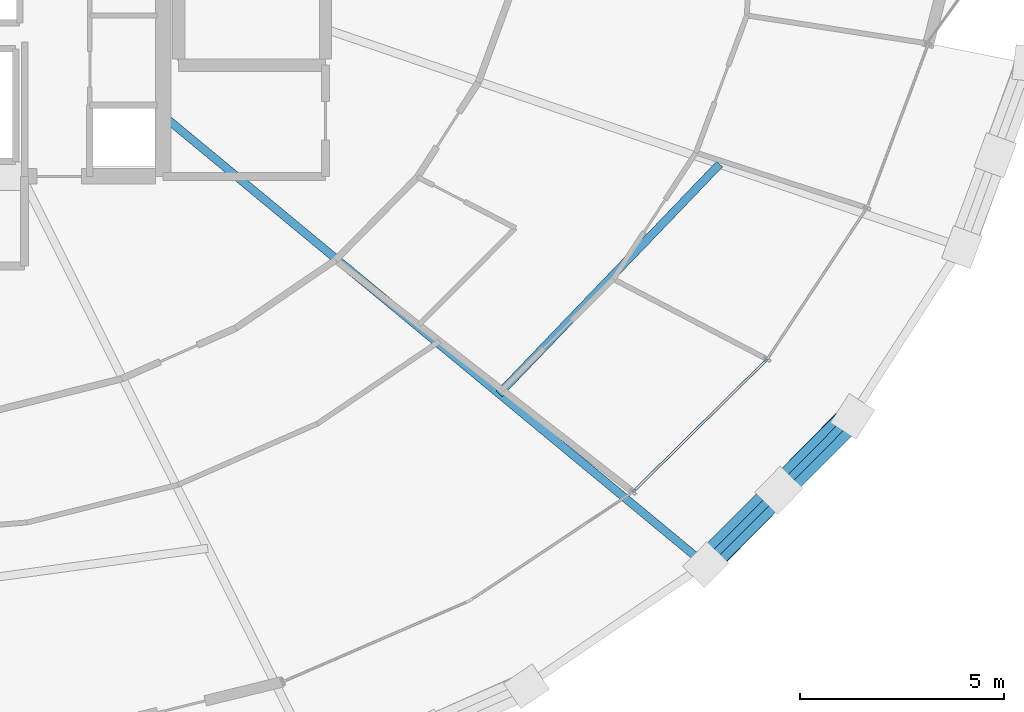
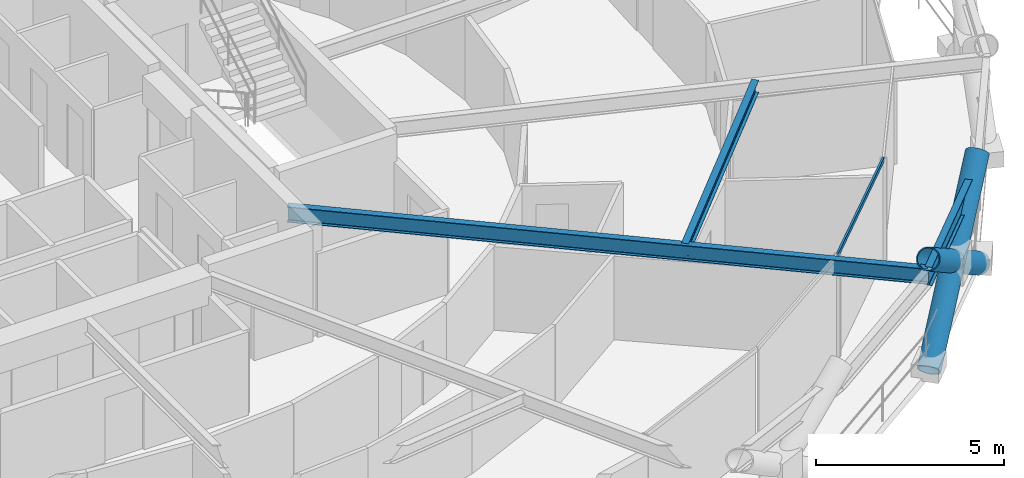
# One storey, part 9 of 22: 4 members, 3 beams, 1 element without a shape of its own.
"""IFC4 building model written with IfcOpenShell, lengths in metres."""

from ifc_helpers import new_model, si_unit, direction, frame, origin, origin_2d, place, context, subcontext, project, spatial, hollow_rectangle, hollow_circle, i_section, extrude, material, layer, layer_set, material_profile, profile_set, type_object, element, aggregate, save


model = new_model("IFC4")

# Units and contexts
model_context = context("Model", 3, precision=1e-05, world=origin(), true_north=direction((0.0, 1.0)))
body_context = subcontext(model_context, "Body", "Model", "MODEL_VIEW")
ifc_project = project(units=[si_unit("LENGTHUNIT", "METRE"), si_unit("AREAUNIT", "SQUARE_METRE"), si_unit("VOLUMEUNIT", "CUBIC_METRE"), si_unit("PLANEANGLEUNIT", "RADIAN"), si_unit("MASSUNIT", "GRAM", prefix="KILO")], contexts=[model_context])

# Site, building, storey
site_placement = place(None, origin())
site = spatial("IfcSite", under=ifc_project, at=site_placement, CompositionType="ELEMENT")
building_placement = place(site_placement, origin())
building = spatial("IfcBuilding", under=site, at=building_placement, Name="Veldorina Hangang Commons", CompositionType="ELEMENT")
storey_placement = place(building_placement, frame((0.0, 0.0, 80.800048828125)))
storey = spatial("IfcBuildingStorey", under=building, at=storey_placement, Name="L20", CompositionType="ELEMENT", Elevation=80.800048828125)

# Beams
ifc_material_1 = material(Name="Steel SM420-TMC", Category="steel")
ifc_material_profile_1 = material_profile(ifc_material_1, i_section(OverallWidth=0.199951171875, OverallDepth=0.5, WebThickness=0.010009765625, FlangeThickness=0.01611328125, FilletRadius=0.01611328125, at=origin_2d()), Name="H-500x200x10x16")
ifc_profile_set_1 = profile_set([ifc_material_profile_1], Name="Steel SM420-TMC")
beam_type_1 = type_object("IfcBeamType", Name="BM-FG500", PredefinedType="BEAM", material=ifc_profile_set_1)
beam_1_placement = place(storey_placement, frame((39.199951171875, 18.040771484375, 3.08984375), z_axis=(0.770360053232, -0.637609118806, 0.0), x_axis=(0.637609118806, 0.770360053232, 0.0)))
element("IfcBeam", 1, at=beam_1_placement, inside=storey, type_object=beam_type_1, Name="L20 radial floor girder 15", PredefinedType="BEAM", context=body_context, shape_type="SweptSolid", body=[
    extrude(i_section(OverallWidth=0.199951171875, OverallDepth=0.5, WebThickness=0.010009765625, FlangeThickness=0.01611328125, FilletRadius=0.01611328125, at=origin_2d()), origin(), (0.0, 0.0, 1.0), 17.256103515625),
])
ifc_material_2 = material(Name="Steel SM355-TMC", Category="steel")
ifc_material_profile_2 = material_profile(ifc_material_2, i_section(OverallWidth=0.199951171875, OverallDepth=0.39990234375, WebThickness=0.008056640625, FlangeThickness=0.012939453125, FilletRadius=0.012939453125, at=origin_2d()), Name="H-400x200x8x13")
ifc_profile_set_2 = profile_set([ifc_material_profile_2], Name="Steel SM355-TMC")
beam_type_2 = type_object("IfcBeamType", Name="BM-JST400", PredefinedType="JOIST", material=ifc_profile_set_2)
beam_2_placement = place(storey_placement, frame((47.44189453125, 11.21923828125, 3.139892578125), z_axis=(0.692546146459, 0.721373575219, 0.0), x_axis=(-0.721373575219, 0.692546146459, 0.0)))
element("IfcBeam", 2, at=beam_2_placement, inside=storey, type_object=beam_type_2, Name="L20 secondary floor joist 15", PredefinedType="JOIST", context=body_context, shape_type="SweptSolid", body=[
    extrude(i_section(OverallWidth=0.199951171875, OverallDepth=0.39990234375, WebThickness=0.008056640625, FlangeThickness=0.012939453125, FilletRadius=0.012939453125, at=origin_2d()), origin(), (0.0, 0.0, 1.0), 7.808349609375),
])
ifc_material_profile_3 = material_profile(ifc_material_1, i_section(OverallWidth=0.199951171875, OverallDepth=0.60009765625, WebThickness=0.010986328125, FlangeThickness=0.01708984375, FilletRadius=0.01806640625, at=origin_2d()), Name="H-600x200x11x17")
ifc_profile_set_3 = profile_set([ifc_material_profile_3], Name="Steel SM420-TMC")
beam_type_3 = type_object("IfcBeamType", Name="BM-RB600", PredefinedType="BEAM", material=ifc_profile_set_3)
beam_3_placement = place(storey_placement, frame((52.493408203125, 7.0380859375, 3.0400390625), z_axis=(0.704119769515, 0.710081227873, 0.0), x_axis=(-0.710081227873, 0.704119769515, 0.0)))
element("IfcBeam", 3, at=beam_3_placement, inside=storey, type_object=beam_type_3, Name="L20 perimeter hoop ring beam 28", PredefinedType="BEAM", context=body_context, shape_type="SweptSolid", body=[
    extrude(i_section(OverallWidth=0.199951171875, OverallDepth=0.60009765625, WebThickness=0.010986328125, FlangeThickness=0.01708984375, FilletRadius=0.01806640625, at=origin_2d()), origin(), (0.0, 0.0, 1.0), 5.119140625),
])

# Curtain wall, member
ifc_material_3 = material(Name="Glass Low-E Triple IGU", Category="glass")
ifc_layer = layer(ifc_material_3, 0.179931640625)
ifc_layer_set = layer_set([ifc_layer], Name="Glass Low-E Triple IGU")
curtain_wall_type = type_object("IfcCurtainWallType", Name="CW-SYS-Z1", PredefinedType="NOTDEFINED", material=ifc_layer_set)
curtain_wall_placement = place(storey_placement, origin())
curtain_wall = element("IfcCurtainWall", 4, at=curtain_wall_placement, inside=storey, type_object=curtain_wall_type, Name="L20 unitised curtain wall CW-L20-R2", PredefinedType="NOTDEFINED")
ifc_material_4 = material(Name="Aluminium Anodized AA6063-T6", Category="aluminium")
ifc_material_profile_4 = material_profile(ifc_material_4, hollow_rectangle(XDim=0.06005859375, YDim=0.139892578125, WallThickness=0.00341796875, at=origin_2d()), Name="ALU-RHS-140x60x3.5")
ifc_profile_set_4 = profile_set([ifc_material_profile_4], Name="Aluminium Anodized AA6063-T6")
member_type_1 = type_object("IfcMemberType", Name="CW-TRN-140", PredefinedType="USERDEFINED", material=ifc_profile_set_4)
member_1_placement = place(storey_placement, frame((50.72412109375, 8.811279296875, 3.260009765625), z_axis=(0.711207370855, 0.702982272637, 0.0), x_axis=(-0.702982272637, 0.711207370855, 0.0)))
member_1 = element("IfcMember", 5, at=member_1_placement, type_object=member_type_1, Name="CW-L20-R2 facet 3 transom 1", ObjectType="TRANSOM", PredefinedType="USERDEFINED", context=body_context, shape_type="SweptSolid", body=[
    extrude(hollow_rectangle(XDim=0.06005859375, YDim=0.139892578125, WallThickness=0.00341796875, at=origin_2d()), origin(), (0.0, 0.0, 1.0), 4.63037109375),
])
aggregate(curtain_wall, [member_1])

# Members
ifc_material_5 = material(Name="Steel SM460-TMC", Category="steel")
ifc_material_profile_5 = material_profile(ifc_material_5, hollow_circle(Radius=0.324951171875, WallThickness=0.031982421875, at=origin_2d()), Name="CHS-650x32")
ifc_profile_set_5 = profile_set([ifc_material_profile_5], Name="Steel SM460-TMC")
member_type_2 = type_object("IfcMemberType", Name="DG-CHS650", PredefinedType="BRACE", material=ifc_profile_set_5)
member_2_placement = place(storey_placement, frame((52.506103515625, 7.029296875, 0.0), z_axis=(0.573772467113, 0.58274924879, 0.575489764477), x_axis=(-0.712573793687, 0.701597169714, 0.0)))
element("IfcMember", 6, at=member_2_placement, inside=storey, type_object=member_type_2, Name="L20 continuous perimeter diagrid brace 28", PredefinedType="BRACE", context=body_context, shape_type="SweptSolid", body=[
    extrude(hollow_circle(Radius=0.324951171875, WallThickness=0.031982421875, at=origin_2d()), origin(), (0.0, 0.0, 1.0), 6.25537109375),
])
member_3_placement = place(storey_placement, frame((56.112548828125, 10.666259765625, 0.0), z_axis=(-0.578230685205, -0.579010076882, 0.574801361826), x_axis=(0.707582851031, -0.706630390605, 0.0)))
element("IfcMember", 7, at=member_3_placement, inside=storey, type_object=member_type_2, Name="L20 split perimeter diagrid lower brace 29", PredefinedType="BRACE", context=body_context, shape_type="SweptSolid", body=[
    extrude(hollow_circle(Radius=0.324951171875, WallThickness=0.031982421875, at=origin_2d()), origin(), (0.0, 0.0, 1.0), 3.132568359375),
])
member_4_placement = place(storey_placement, frame((54.30126953125, 8.8525390625, 1.800537109375), z_axis=(-0.57820516607, -0.579063037237, 0.574773681405), x_axis=(0.707630757837, -0.706582415974, 0.0)))
element("IfcMember", 8, at=member_4_placement, inside=storey, type_object=member_type_2, Name="L20 split perimeter diagrid upper brace 29", PredefinedType="BRACE", context=body_context, shape_type="SweptSolid", body=[
    extrude(hollow_circle(Radius=0.324951171875, WallThickness=0.031982421875, at=origin_2d()), origin(), (0.0, 0.0, 1.0), 3.13037109375),
])

save(model, "model.ifc")
